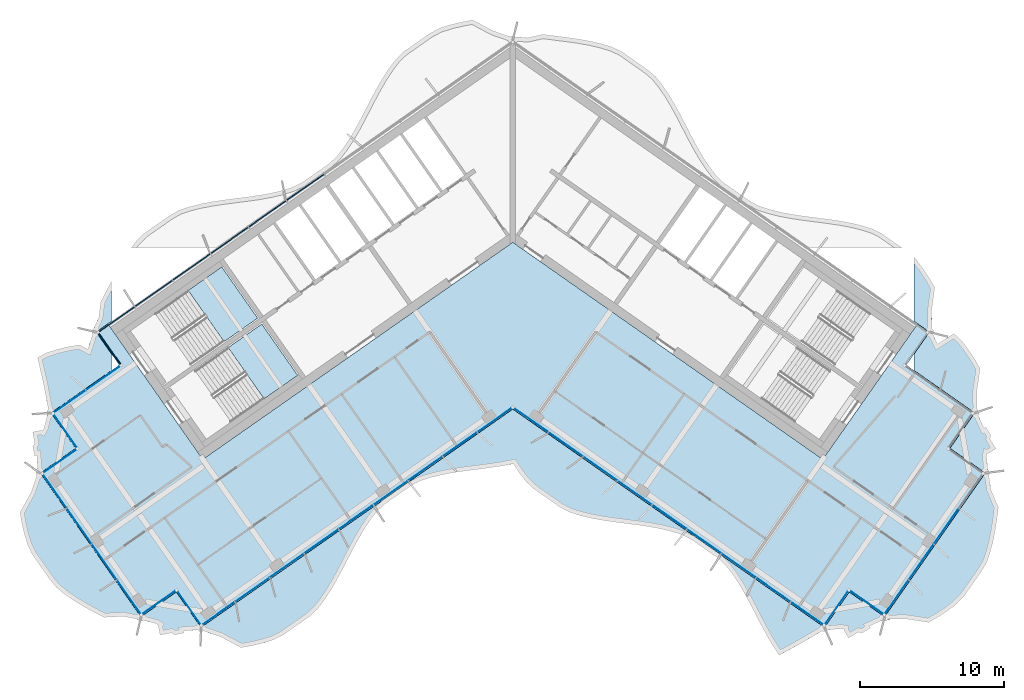
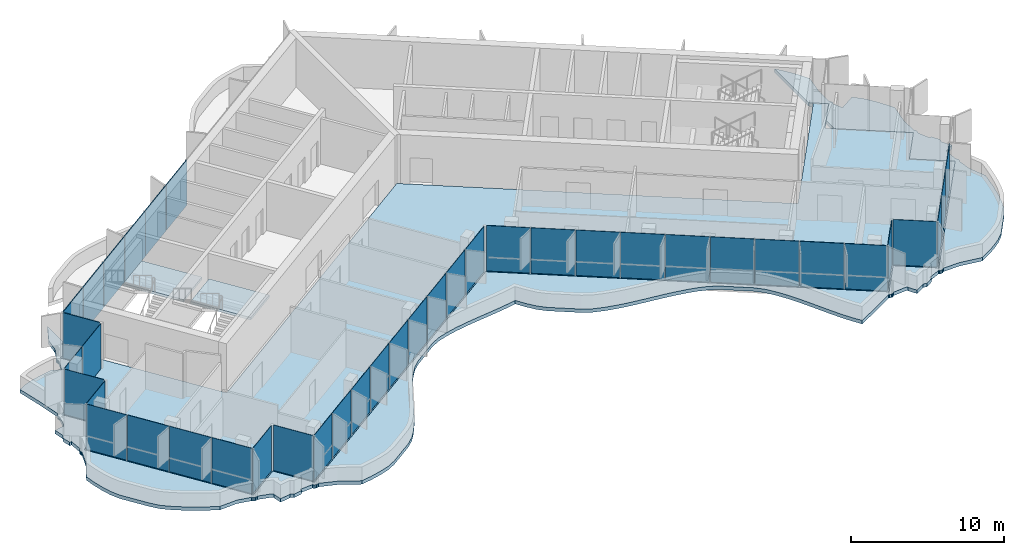
# One storey, part 9 of 20: 40 plates, 4 slabs, 4 elements without a shape of their own.
"""IFC4 building model written with IfcOpenShell, lengths in metres."""

import ifcopenshell
import ifcopenshell.guid

model = None  # the IFC model being written
_history = None  # IfcOwnerHistory: only IFC2X3 demands one
_inside = {}  # id of a spatial element -> (the spatial element, [elements in it])
_under = {}  # id of a project, library or spatial element -> (it, [spatial elements below it])
_declared = {}  # id of a project -> (the project, [libraries it declares])
_typed = {}  # id of a type object -> (the type object, [elements of that type])
_made_of = {}  # id of a material, layer set ... -> (it, [elements and type objects made of it])


def new_model(schema):
    """Start an empty IFC model of exactly this schema.

    Asked for "IFC4X3", IfcOpenShell would pick the latest addendum, in which some entities
    have other attributes; the version numbers below select the first issue.
    IFC2X3 requires an IfcOwnerHistory on every rooted entity: one is made here for all.
    """
    global model, _history
    if schema == "IFC4X3":
        model = ifcopenshell.file(schema_version=(4, 3, 0, 0))
    else:
        model = ifcopenshell.file(schema=schema)
    _inside.clear()
    _under.clear()
    _declared.clear()
    _typed.clear()
    _made_of.clear()
    _history = None
    if model.schema == "IFC2X3":
        org = make("IfcOrganization", Name="unknown")
        user = make(
            "IfcPersonAndOrganization",
            ThePerson=make("IfcPerson", FamilyName="unknown"),
            TheOrganization=org,
        )
        app = make(
            "IfcApplication",
            ApplicationDeveloper=org,
            Version="unknown",
            ApplicationFullName="unknown",
            ApplicationIdentifier="unknown",
        )
        _history = make(
            "IfcOwnerHistory",
            OwningUser=user,
            OwningApplication=app,
            ChangeAction="ADDED",
            CreationDate=0,
        )
    return model


def make(cls, **values):
    """One entity of the class cls with the attributes given. An attribute that is None is left unset."""
    return model.create_entity(
        cls, **{name: value for name, value in values.items() if value is not None}
    )


def rooted(cls, **values):
    """An entity with a GlobalId (a new one), such as an element, a storey or a relation."""
    return make(cls, GlobalId=ifcopenshell.guid.new(), OwnerHistory=_history, **values)


def si_unit(unit_type, name, prefix=None):
    """IfcSIUnit, for example si_unit("LENGTHUNIT", "METRE", prefix="MILLI")."""
    return make("IfcSIUnit", UnitType=unit_type, Prefix=prefix, Name=name)


def assignment(units):
    """IfcUnitAssignment: the units of a project."""
    return None if units is None else make("IfcUnitAssignment", Units=units)


def point(xyz):
    """IfcCartesianPoint."""
    return None if xyz is None else make("IfcCartesianPoint", Coordinates=xyz)


def direction(xyz):
    """IfcDirection."""
    return None if xyz is None else make("IfcDirection", DirectionRatios=xyz)


def frame(location, z_axis=None, x_axis=None):
    """IfcAxis2Placement3D, a coordinate frame: its origin and axes. An axis left out is left unset."""
    return make(
        "IfcAxis2Placement3D",
        Location=point(location),
        Axis=direction(z_axis),
        RefDirection=direction(x_axis),
    )


def frame_2d(location, x_axis=None):
    """IfcAxis2Placement2D, a coordinate frame in the plane: its origin and x axis."""
    return make(
        "IfcAxis2Placement2D", Location=point(location), RefDirection=direction(x_axis)
    )


def origin():
    """The frame at (0, 0, 0) with its axes left unset."""
    return frame((0.0, 0.0, 0.0))


def origin_2d():
    """The frame at (0, 0) in the plane with its x axis left unset."""
    return frame_2d((0.0, 0.0))


def place(relative_to, where):
    """IfcLocalPlacement: puts the frame where relative to a parent placement (None: the world)."""
    return make(
        "IfcLocalPlacement", PlacementRelTo=relative_to, RelativePlacement=where
    )


def context(
    kind, dimensions, precision=None, world=None, true_north=None, identifier=None
):
    """IfcGeometricRepresentationContext, for example the 3D "Model" context."""
    return make(
        "IfcGeometricRepresentationContext",
        ContextIdentifier=identifier,
        ContextType=kind,
        CoordinateSpaceDimension=dimensions,
        Precision=precision,
        WorldCoordinateSystem=world,
        TrueNorth=true_north,
    )


def subcontext(parent, identifier, kind, view, scale=None):
    """IfcGeometricRepresentationSubContext, for example "Body" below "Model"."""
    return make(
        "IfcGeometricRepresentationSubContext",
        ContextIdentifier=identifier,
        ContextType=kind,
        ParentContext=parent,
        TargetScale=scale,
        TargetView=view,
    )


def project(units=None, contexts=None):
    """IfcProject with its units and contexts."""
    return rooted(
        "IfcProject",
        Name="project",
        RepresentationContexts=contexts,
        UnitsInContext=assignment(units),
    )


def spatial(cls, under=None, at=None, **own):
    """A site, building, storey or space (cls), placed at a placement, below another one or the project."""
    s = rooted(cls, ObjectPlacement=at, **own)
    if under is not None:
        _under.setdefault(under.id(), (under, []))[1].append(s)
    return s


def polyline(points):
    """IfcPolyline through the points."""
    return make("IfcPolyline", Points=[point(p) for p in points])


def profile(cls, at=None, kind="AREA", **sizes):
    """A parametric profile (cls). Its sizes go by their IFC names, for example OverallWidth=200.0."""
    return make(cls, ProfileType=kind, Position=at, **sizes)


def rectangle(**sizes):
    """IfcRectangleProfileDef."""
    return profile("IfcRectangleProfileDef", **sizes)


def outline(outer, holes=None, kind="AREA"):
    """IfcArbitraryClosedProfileDef: a profile drawn as a closed curve; with holes, ...WithVoids."""
    if holes is None:
        return make("IfcArbitraryClosedProfileDef", ProfileType=kind, OuterCurve=outer)
    return make(
        "IfcArbitraryProfileDefWithVoids",
        ProfileType=kind,
        OuterCurve=outer,
        InnerCurves=holes,
    )


def extrude(swept, where, along, depth):
    """IfcExtrudedAreaSolid: the profile swept, set in the frame where, extruded along a direction by depth."""
    return make(
        "IfcExtrudedAreaSolid",
        SweptArea=swept,
        Position=where,
        ExtrudedDirection=direction(along),
        Depth=depth,
    )


def shape(context_of_items, identifier, shape_type, items):
    """IfcShapeRepresentation: the items that make up one representation, for example the "Body"."""
    return make(
        "IfcShapeRepresentation",
        ContextOfItems=context_of_items,
        RepresentationIdentifier=identifier,
        RepresentationType=shape_type,
        Items=items,
    )


def material(Name=None, Category=None):
    """IfcMaterial."""
    return make("IfcMaterial", Name=Name, Category=Category)


def layer(
    of_material, thickness, ventilated=None, Name=None, Category=None, Priority=None
):
    """IfcMaterialLayer: one layer of a wall or slab, of a material (None: an air gap)."""
    return make(
        "IfcMaterialLayer",
        Material=of_material,
        LayerThickness=thickness,
        IsVentilated=ventilated,
        Name=Name,
        Category=Category,
        Priority=Priority,
    )


def layer_set(layers, Name=None):
    """IfcMaterialLayerSet."""
    return make("IfcMaterialLayerSet", MaterialLayers=layers, LayerSetName=Name)


def made_of(thing, what):
    """Note that an element or type object is made of a material, layer set ...; save() writes the relation."""
    if what is not None:
        _made_of.setdefault(what.id(), (what, []))[1].append(thing)
    return thing


def type_object(cls, material=None, **own):
    """A type object (cls), such as IfcWallType, which elements share."""
    return made_of(rooted(cls, **own), material)


def element(
    cls,
    number,
    at=None,
    inside=None,
    cuts=None,
    type_object=None,
    material=None,
    context=None,
    identifier="Body",
    shape_type=None,
    held_by="IfcProductDefinitionShape",
    body=None,
    shapes=None,
    **own,
):
    """One element of the class cls, such as IfcWall. Its Tag is "e" and its number.

    at: its placement. inside: the storey or other place that contains it. cuts: it is an
    opening in that element (IfcRelVoidsElement). A single representation is given by context,
    identifier, shape_type and body (its items); several are given by shapes. held_by: the class
    of the entity that holds the representations. save() writes the other relations.
    """
    e = rooted(cls, Tag="e%d" % number, ObjectPlacement=at, **own)
    if body is not None:
        shapes = [shape(context, identifier, shape_type, body)]
    if shapes is not None:
        e.Representation = make(held_by, Representations=shapes)
    if inside is not None:
        _inside.setdefault(inside.id(), (inside, []))[1].append(e)
    if cuts is not None:
        rooted(
            "IfcRelVoidsElement", RelatingBuildingElement=cuts, RelatedOpeningElement=e
        )
    if type_object is not None:
        _typed.setdefault(type_object.id(), (type_object, []))[1].append(e)
    return made_of(e, material)


def aggregate(whole, parts):
    """IfcRelAggregates: a whole, such as a stair, and the parts it consists of."""
    return rooted("IfcRelAggregates", RelatingObject=whole, RelatedObjects=parts)


def save(model, path):
    """Write the relations noted so far, then the file.

    IfcRelAggregates (storeys below a building ...), IfcRelContainedInSpatialStructure (elements
    in a storey), IfcRelDefinesByType, IfcRelAssociatesMaterial and IfcRelDeclares: one each for
    every whole, place, type object, material and project.
    """
    for whole, parts in _under.values():
        aggregate(whole, parts)
    for where, things in _inside.values():
        rooted(
            "IfcRelContainedInSpatialStructure",
            RelatedElements=things,
            RelatingStructure=where,
        )
    for kind, things in _typed.values():
        rooted("IfcRelDefinesByType", RelatedObjects=things, RelatingType=kind)
    for what, things in _made_of.values():
        rooted("IfcRelAssociatesMaterial", RelatedObjects=things, RelatingMaterial=what)
    for by, libraries in _declared.values():
        rooted("IfcRelDeclares", RelatingContext=by, RelatedDefinitions=libraries)
    model.write(path)


model = new_model("IFC4")

# Units and contexts
model_context = context("Model", 3, precision=1e-05, world=origin(), true_north=direction((0.0, 1.0)))
body_context = subcontext(model_context, "Body", "Model", "MODEL_VIEW")
ifc_project = project(units=[si_unit("LENGTHUNIT", "METRE"), si_unit("AREAUNIT", "SQUARE_METRE"), si_unit("VOLUMEUNIT", "CUBIC_METRE"), si_unit("PLANEANGLEUNIT", "RADIAN"), si_unit("MASSUNIT", "GRAM", prefix="KILO")], contexts=[model_context])

# Site, building, storey
site_placement = place(None, origin())
site = spatial("IfcSite", under=ifc_project, at=site_placement, CompositionType="ELEMENT")
building_placement = place(site_placement, origin())
building = spatial("IfcBuilding", under=site, at=building_placement, Name="Tel Ilan Convention Tower", CompositionType="ELEMENT")
storey_placement = place(building_placement, frame((0.0, 0.0, 237.10009765625)))
storey = spatial("IfcBuildingStorey", under=building, at=storey_placement, Name="L55", CompositionType="ELEMENT", Elevation=237.10009765625)

# Curtain wall, plates
ifc_material_1 = material(Name="Aluminium, bronze anodised", Category="aluminium")
curtain_wall_type_1 = type_object("IfcCurtainWallType", Name="CW2 STICK CURTAIN WALL, SPANDREL PANELS", PredefinedType="NOTDEFINED", material=ifc_material_1)
curtain_wall_1_placement = place(storey_placement, origin())
curtain_wall_1 = element("IfcCurtainWall", 1, at=curtain_wall_1_placement, inside=storey, type_object=curtain_wall_type_1, Name="Curtain wall CW2-42.01", PredefinedType="NOTDEFINED")
ifc_material_2 = material(Name="Aluminium composite panel, bronze anodised", Category="aluminium")
ifc_layer_1 = layer(ifc_material_2, 0.06005859375)
ifc_layer_set_1 = layer_set([ifc_layer_1], Name="CW SPANDREL PANEL 60")
plate_type_1 = type_object("IfcPlateType", Name="CW SPANDREL PANEL 60", PredefinedType="CURTAIN_PANEL", material=ifc_layer_set_1)
plate_1_placement = place(storey_placement, frame((-14.422119140625, 2.59765625, -0.000244140625), z_axis=(0.0, 0.0, 1.0), x_axis=(-0.819152044289, -0.573576436351, 0.0)))
plate_1 = element("IfcPlate", 2, at=plate_1_placement, type_object=plate_type_1, Name="Spandrel panel", PredefinedType="CURTAIN_PANEL", context=body_context, shape_type="SweptSolid", body=[
    extrude(rectangle(XDim=3.15380859375, YDim=0.06005859375, at=origin_2d()), origin(), (0.0, 0.0, 1.0), 3.6201171875),
])
plate_2_placement = place(storey_placement, frame((-17.0546875, 0.754150390625, -0.000244140625), z_axis=(0.0, 0.0, 1.0), x_axis=(-0.819152044289, -0.573576436351, 0.0)))
plate_2 = element("IfcPlate", 3, at=plate_2_placement, type_object=plate_type_1, Name="Spandrel panel", PredefinedType="CURTAIN_PANEL", context=body_context, shape_type="SweptSolid", body=[
    extrude(rectangle(XDim=3.15380859375, YDim=0.06005859375, at=origin_2d()), origin(), (0.0, 0.0, 1.0), 3.6201171875),
])
plate_3_placement = place(storey_placement, frame((-19.687255859375, -1.089111328125, -0.000244140625), z_axis=(0.0, 0.0, 1.0), x_axis=(-0.819152044289, -0.573576436351, 0.0)))
plate_3 = element("IfcPlate", 4, at=plate_3_placement, type_object=plate_type_1, Name="Spandrel panel", PredefinedType="CURTAIN_PANEL", context=body_context, shape_type="SweptSolid", body=[
    extrude(rectangle(XDim=3.15380859375, YDim=0.06005859375, at=origin_2d()), origin(), (0.0, 0.0, 1.0), 3.6201171875),
])
plate_4_placement = place(storey_placement, frame((-22.31982421875, -2.9326171875, -0.000244140625), z_axis=(0.0, 0.0, 1.0), x_axis=(-0.819152044289, -0.573576436351, 0.0)))
plate_4 = element("IfcPlate", 5, at=plate_4_placement, type_object=plate_type_1, Name="Spandrel panel", PredefinedType="CURTAIN_PANEL", context=body_context, shape_type="SweptSolid", body=[
    extrude(rectangle(XDim=3.15380859375, YDim=0.06005859375, at=origin_2d()), origin(), (0.0, 0.0, 1.0), 3.6201171875),
])
plate_5_placement = place(storey_placement, frame((-24.95263671875, -4.77587890625, -0.000244140625), z_axis=(0.0, 0.0, 1.0), x_axis=(-0.819152044289, -0.573576436351, 0.0)))
plate_5 = element("IfcPlate", 6, at=plate_5_placement, type_object=plate_type_1, Name="Spandrel panel", PredefinedType="CURTAIN_PANEL", context=body_context, shape_type="SweptSolid", body=[
    extrude(rectangle(XDim=3.15380859375, YDim=0.06005859375, at=origin_2d()), origin(), (0.0, 0.0, 1.0), 3.6201171875),
])
plate_6_placement = place(storey_placement, frame((-27.5400390625, -6.587646484375, -0.000244140625), z_axis=(0.0, 0.0, 1.0), x_axis=(-0.819152044289, -0.573576436351, 0.0)))
plate_6 = element("IfcPlate", 7, at=plate_6_placement, type_object=plate_type_1, Name="Spandrel panel", PredefinedType="CURTAIN_PANEL", context=body_context, shape_type="SweptSolid", body=[
    extrude(rectangle(XDim=3.0439453125, YDim=0.06005859375, at=origin_2d()), origin(), (0.0, 0.0, 1.0), 3.6201171875),
])
plate_7_placement = place(storey_placement, frame((-28.033935546875, -8.60546875, -0.000244140625), z_axis=(0.0, 0.0, 1.0), x_axis=(0.573576436351, -0.819152044289, 0.0)))
plate_7 = element("IfcPlate", 8, at=plate_7_placement, type_object=plate_type_1, Name="Spandrel panel", PredefinedType="CURTAIN_PANEL", context=body_context, shape_type="SweptSolid", body=[
    extrude(rectangle(XDim=2.658935546875, YDim=0.06005859375, at=origin_2d()), origin(), (0.0, 0.0, 1.0), 3.6201171875),
])
aggregate(curtain_wall_1, [plate_1, plate_2, plate_3, plate_4, plate_5, plate_6, plate_7])

ifc_material_3 = material(Name="Aluminium, bronze anodised", Category="aluminium")
curtain_wall_type_2 = type_object("IfcCurtainWallType", Name="CW5 STICK CURTAIN WALL, UPPER OFFICE LOW-IRON TINTED GLASS", PredefinedType="NOTDEFINED", material=ifc_material_3)
curtain_wall_2_placement = place(storey_placement, origin())
curtain_wall_2 = element("IfcCurtainWall", 9, at=curtain_wall_2_placement, inside=storey, type_object=curtain_wall_type_2, Name="Curtain wall CW5-42.02", PredefinedType="NOTDEFINED")
ifc_material_4 = material(Name="Glass, low-iron bronze tinted, two-ply", Category="glass")
ifc_layer_2 = layer(ifc_material_4, 0.031982421875)
ifc_layer_set_2 = layer_set([ifc_layer_2], Name="CW UPPER GLASS PANEL 32")
plate_type_2 = type_object("IfcPlateType", Name="CW UPPER GLASS PANEL 32", PredefinedType="CURTAIN_PANEL", material=ifc_layer_set_2)
plate_8_placement = place(storey_placement, frame((-28.471435546875, -10.657958984375, -0.000244140625), z_axis=(0.0, 0.0, 1.0), x_axis=(-0.819152044289, -0.573576436351, 0.0)))
plate_8 = element("IfcPlate", 10, at=plate_8_placement, type_object=plate_type_2, Name="Glass panel", PredefinedType="CURTAIN_PANEL", context=body_context, shape_type="SweptSolid", body=[
    extrude(rectangle(XDim=2.868896484375, YDim=0.028076171875, at=origin_2d()), origin(), (0.0, 0.0, 1.0), 3.6201171875),
])
plate_9_placement = place(storey_placement, frame((-30.8203125, -12.302734375, -0.000244140625), z_axis=(0.0, 0.0, 1.0), x_axis=(-0.819152044289, -0.573576436351, 0.0)))
plate_9 = element("IfcPlate", 11, at=plate_9_placement, type_object=plate_type_2, Name="Glass panel", PredefinedType="CURTAIN_PANEL", context=body_context, shape_type="SweptSolid", body=[
    extrude(rectangle(XDim=2.74609375, YDim=0.028076171875, at=origin_2d()), origin(), (0.0, 0.0, 1.0), 3.6201171875),
])
plate_10_placement = place(storey_placement, frame((-31.126220703125, -14.30126953125, -0.000244140625), z_axis=(0.0, 0.0, 1.0), x_axis=(0.573576436351, -0.819152044289, 0.0)))
plate_10 = element("IfcPlate", 12, at=plate_10_placement, type_object=plate_type_2, Name="Glass panel", PredefinedType="CURTAIN_PANEL", context=body_context, shape_type="SweptSolid", body=[
    extrude(rectangle(XDim=2.875, YDim=0.028076171875, at=origin_2d()), origin(), (0.0, 0.0, 1.0), 3.6201171875),
])
plate_11_placement = place(storey_placement, frame((-31.504150390625, -16.44384765625, -0.000244140625), z_axis=(0.0, 0.0, 1.0), x_axis=(-0.819152044289, -0.573576436351, 0.0)))
plate_11 = element("IfcPlate", 13, at=plate_11_placement, type_object=plate_type_2, Name="Glass panel", PredefinedType="CURTAIN_PANEL", context=body_context, shape_type="SweptSolid", body=[
    extrude(rectangle(XDim=2.875, YDim=0.028076171875, at=origin_2d()), origin(), (0.0, 0.0, 1.0), 3.6201171875),
])
plate_12_placement = place(storey_placement, frame((-31.85693359375, -18.488037109375, -0.000244140625), z_axis=(0.0, 0.0, 1.0), x_axis=(0.573576436351, -0.819152044289, 0.0)))
plate_12 = element("IfcPlate", 14, at=plate_12_placement, type_object=plate_type_2, Name="Glass panel", PredefinedType="CURTAIN_PANEL", context=body_context, shape_type="SweptSolid", body=[
    extrude(rectangle(XDim=2.89599609375, YDim=0.028076171875, at=origin_2d()), origin(), (0.0, 0.0, 1.0), 3.6201171875),
])
plate_13_placement = place(storey_placement, frame((-30.134521484375, -20.94775390625, -0.000244140625), z_axis=(0.0, 0.0, 1.0), x_axis=(0.573576436351, -0.819152044289, 0.0)))
plate_13 = element("IfcPlate", 15, at=plate_13_placement, type_object=plate_type_2, Name="Glass panel", PredefinedType="CURTAIN_PANEL", context=body_context, shape_type="SweptSolid", body=[
    extrude(rectangle(XDim=2.989990234375, YDim=0.028076171875, at=origin_2d()), origin(), (0.0, 0.0, 1.0), 3.6201171875),
])
plate_14_placement = place(storey_placement, frame((-28.38525390625, -23.4462890625, -0.000244140625), z_axis=(0.0, 0.0, 1.0), x_axis=(0.573576436351, -0.819152044289, 0.0)))
plate_14 = element("IfcPlate", 16, at=plate_14_placement, type_object=plate_type_2, Name="Glass panel", PredefinedType="CURTAIN_PANEL", context=body_context, shape_type="SweptSolid", body=[
    extrude(rectangle(XDim=2.989990234375, YDim=0.028076171875, at=origin_2d()), origin(), (0.0, 0.0, 1.0), 3.6201171875),
])
plate_15_placement = place(storey_placement, frame((-26.66259765625, -25.90625, -0.000244140625), z_axis=(0.0, 0.0, 1.0), x_axis=(0.573576436351, -0.819152044289, 0.0)))
plate_15 = element("IfcPlate", 17, at=plate_15_placement, type_object=plate_type_2, Name="Glass panel", PredefinedType="CURTAIN_PANEL", context=body_context, shape_type="SweptSolid", body=[
    extrude(rectangle(XDim=2.89599609375, YDim=0.028076171875, at=origin_2d()), origin(), (0.0, 0.0, 1.0), 3.6201171875),
])
plate_16_placement = place(storey_placement, frame((-24.621337890625, -26.273681640625, -0.000244140625), z_axis=(0.0, 0.0, 1.0), x_axis=(0.819152044289, 0.573576436351, 0.0)))
plate_16 = element("IfcPlate", 18, at=plate_16_placement, type_object=plate_type_2, Name="Glass panel", PredefinedType="CURTAIN_PANEL", context=body_context, shape_type="SweptSolid", body=[
    extrude(rectangle(XDim=2.875, YDim=0.028076171875, at=origin_2d()), origin(), (0.0, 0.0, 1.0), 3.6201171875),
])
plate_17_placement = place(storey_placement, frame((-22.478515625, -26.651611328125, -0.000244140625), z_axis=(0.0, 0.0, 1.0), x_axis=(0.573576436351, -0.819152044289, 0.0)))
plate_17 = element("IfcPlate", 19, at=plate_17_placement, type_object=plate_type_2, Name="Glass panel", PredefinedType="CURTAIN_PANEL", context=body_context, shape_type="SweptSolid", body=[
    extrude(rectangle(XDim=2.875, YDim=0.028076171875, at=origin_2d()), origin(), (0.0, 0.0, 1.0), 3.6201171875),
])
plate_18_placement = place(storey_placement, frame((-20.47998046875, -27.036376953125, -0.000244140625), z_axis=(0.0, 0.0, 1.0), x_axis=(0.819152044289, 0.573576436351, 0.0)))
plate_18 = element("IfcPlate", 20, at=plate_18_placement, type_object=plate_type_2, Name="Glass panel", PredefinedType="CURTAIN_PANEL", context=body_context, shape_type="SweptSolid", body=[
    extrude(rectangle(XDim=2.78466796875, YDim=0.028076171875, at=origin_2d()), origin(), (0.0, 0.0, 1.0), 3.6201171875),
])
plate_19_placement = place(storey_placement, frame((-18.111328125, -25.377685546875, -0.000244140625), z_axis=(0.0, 0.0, 1.0), x_axis=(0.819152044289, 0.573576436351, 0.0)))
plate_19 = element("IfcPlate", 21, at=plate_19_placement, type_object=plate_type_2, Name="Glass panel", PredefinedType="CURTAIN_PANEL", context=body_context, shape_type="SweptSolid", body=[
    extrude(rectangle(XDim=2.878662109375, YDim=0.028076171875, at=origin_2d()), origin(), (0.0, 0.0, 1.0), 3.6201171875),
])
plate_20_placement = place(storey_placement, frame((-15.7041015625, -23.692138671875, -0.000244140625), z_axis=(0.0, 0.0, 1.0), x_axis=(0.819152044289, 0.573576436351, 0.0)))
plate_20 = element("IfcPlate", 22, at=plate_20_placement, type_object=plate_type_2, Name="Glass panel", PredefinedType="CURTAIN_PANEL", context=body_context, shape_type="SweptSolid", body=[
    extrude(rectangle(XDim=2.878662109375, YDim=0.028076171875, at=origin_2d()), origin(), (0.0, 0.0, 1.0), 3.6201171875),
])
plate_21_placement = place(storey_placement, frame((-13.296875, -22.006591796875, -0.000244140625), z_axis=(0.0, 0.0, 1.0), x_axis=(0.819152044289, 0.573576436351, 0.0)))
plate_21 = element("IfcPlate", 23, at=plate_21_placement, type_object=plate_type_2, Name="Glass panel", PredefinedType="CURTAIN_PANEL", context=body_context, shape_type="SweptSolid", body=[
    extrude(rectangle(XDim=2.878662109375, YDim=0.028076171875, at=origin_2d()), origin(), (0.0, 0.0, 1.0), 3.6201171875),
])
plate_22_placement = place(storey_placement, frame((-10.8896484375, -20.321044921875, -0.000244140625), z_axis=(0.0, 0.0, 1.0), x_axis=(0.819152044289, 0.573576436351, 0.0)))
plate_22 = element("IfcPlate", 24, at=plate_22_placement, type_object=plate_type_2, Name="Glass panel", PredefinedType="CURTAIN_PANEL", context=body_context, shape_type="SweptSolid", body=[
    extrude(rectangle(XDim=2.878662109375, YDim=0.028076171875, at=origin_2d()), origin(), (0.0, 0.0, 1.0), 3.6201171875),
])
plate_23_placement = place(storey_placement, frame((-8.482666015625, -18.635498046875, -0.000244140625), z_axis=(0.0, 0.0, 1.0), x_axis=(0.819152044289, 0.573576436351, 0.0)))
plate_23 = element("IfcPlate", 25, at=plate_23_placement, type_object=plate_type_2, Name="Glass panel", PredefinedType="CURTAIN_PANEL", context=body_context, shape_type="SweptSolid", body=[
    extrude(rectangle(XDim=2.878662109375, YDim=0.028076171875, at=origin_2d()), origin(), (0.0, 0.0, 1.0), 3.6201171875),
])
plate_24_placement = place(storey_placement, frame((-6.075439453125, -16.949951171875, -0.000244140625), z_axis=(0.0, 0.0, 1.0), x_axis=(0.819152044289, 0.573576436351, 0.0)))
plate_24 = element("IfcPlate", 26, at=plate_24_placement, type_object=plate_type_2, Name="Glass panel", PredefinedType="CURTAIN_PANEL", context=body_context, shape_type="SweptSolid", body=[
    extrude(rectangle(XDim=2.878662109375, YDim=0.028076171875, at=origin_2d()), origin(), (0.0, 0.0, 1.0), 3.6201171875),
])
plate_25_placement = place(storey_placement, frame((-3.668212890625, -15.264404296875, -0.000244140625), z_axis=(0.0, 0.0, 1.0), x_axis=(0.819152044289, 0.573576436351, 0.0)))
plate_25 = element("IfcPlate", 27, at=plate_25_placement, type_object=plate_type_2, Name="Glass panel", PredefinedType="CURTAIN_PANEL", context=body_context, shape_type="SweptSolid", body=[
    extrude(rectangle(XDim=2.878662109375, YDim=0.028076171875, at=origin_2d()), origin(), (0.0, 0.0, 1.0), 3.6201171875),
])
plate_26_placement = place(storey_placement, frame((-1.261474609375, -13.579345703125, -0.000244140625), z_axis=(0.0, 0.0, 1.0), x_axis=(0.819152044289, 0.573576436351, 0.0)))
plate_26 = element("IfcPlate", 28, at=plate_26_placement, type_object=plate_type_2, Name="Glass panel", PredefinedType="CURTAIN_PANEL", context=body_context, shape_type="SweptSolid", body=[
    extrude(rectangle(XDim=2.877685546875, YDim=0.028076171875, at=origin_2d()), origin(), (0.0, 0.0, 1.0), 3.6201171875),
])
plate_27_placement = place(storey_placement, frame((1.27294921875, -13.58740234375, -0.000244140625), z_axis=(0.0, 0.0, 1.0), x_axis=(0.819152044289, -0.573576436351, 0.0)))
plate_27 = element("IfcPlate", 29, at=plate_27_placement, type_object=plate_type_2, Name="Glass panel", PredefinedType="CURTAIN_PANEL", context=body_context, shape_type="SweptSolid", body=[
    extrude(rectangle(XDim=2.849609375, YDim=0.028076171875, at=origin_2d()), origin(), (0.0, 0.0, 1.0), 3.6201171875),
])
plate_28_placement = place(storey_placement, frame((3.668212890625, -15.264404296875, -0.000244140625), z_axis=(0.0, 0.0, 1.0), x_axis=(0.819152044289, -0.573576436351, 0.0)))
plate_28 = element("IfcPlate", 30, at=plate_28_placement, type_object=plate_type_2, Name="Glass panel", PredefinedType="CURTAIN_PANEL", context=body_context, shape_type="SweptSolid", body=[
    extrude(rectangle(XDim=2.878662109375, YDim=0.028076171875, at=origin_2d()), origin(), (0.0, 0.0, 1.0), 3.6201171875),
])
plate_29_placement = place(storey_placement, frame((6.075439453125, -16.949951171875, -0.000244140625), z_axis=(0.0, 0.0, 1.0), x_axis=(0.819152044289, -0.573576436351, 0.0)))
plate_29 = element("IfcPlate", 31, at=plate_29_placement, type_object=plate_type_2, Name="Glass panel", PredefinedType="CURTAIN_PANEL", context=body_context, shape_type="SweptSolid", body=[
    extrude(rectangle(XDim=2.878662109375, YDim=0.028076171875, at=origin_2d()), origin(), (0.0, 0.0, 1.0), 3.6201171875),
])
plate_30_placement = place(storey_placement, frame((8.482666015625, -18.635498046875, -0.000244140625), z_axis=(0.0, 0.0, 1.0), x_axis=(0.819152044289, -0.573576436351, 0.0)))
plate_30 = element("IfcPlate", 32, at=plate_30_placement, type_object=plate_type_2, Name="Glass panel", PredefinedType="CURTAIN_PANEL", context=body_context, shape_type="SweptSolid", body=[
    extrude(rectangle(XDim=2.878662109375, YDim=0.028076171875, at=origin_2d()), origin(), (0.0, 0.0, 1.0), 3.6201171875),
])
plate_31_placement = place(storey_placement, frame((10.8896484375, -20.321044921875, -0.000244140625), z_axis=(0.0, 0.0, 1.0), x_axis=(0.819152044289, -0.573576436351, 0.0)))
plate_31 = element("IfcPlate", 33, at=plate_31_placement, type_object=plate_type_2, Name="Glass panel", PredefinedType="CURTAIN_PANEL", context=body_context, shape_type="SweptSolid", body=[
    extrude(rectangle(XDim=2.878662109375, YDim=0.028076171875, at=origin_2d()), origin(), (0.0, 0.0, 1.0), 3.6201171875),
])
plate_32_placement = place(storey_placement, frame((13.296875, -22.006591796875, -0.000244140625), z_axis=(0.0, 0.0, 1.0), x_axis=(0.819152044289, -0.573576436351, 0.0)))
plate_32 = element("IfcPlate", 34, at=plate_32_placement, type_object=plate_type_2, Name="Glass panel", PredefinedType="CURTAIN_PANEL", context=body_context, shape_type="SweptSolid", body=[
    extrude(rectangle(XDim=2.878662109375, YDim=0.028076171875, at=origin_2d()), origin(), (0.0, 0.0, 1.0), 3.6201171875),
])
plate_33_placement = place(storey_placement, frame((15.7041015625, -23.692138671875, -0.000244140625), z_axis=(0.0, 0.0, 1.0), x_axis=(0.819152044289, -0.573576436351, 0.0)))
plate_33 = element("IfcPlate", 35, at=plate_33_placement, type_object=plate_type_2, Name="Glass panel", PredefinedType="CURTAIN_PANEL", context=body_context, shape_type="SweptSolid", body=[
    extrude(rectangle(XDim=2.878662109375, YDim=0.028076171875, at=origin_2d()), origin(), (0.0, 0.0, 1.0), 3.6201171875),
])
plate_34_placement = place(storey_placement, frame((18.111328125, -25.377685546875, -0.000244140625), z_axis=(0.0, 0.0, 1.0), x_axis=(0.819152044289, -0.573576436351, 0.0)))
plate_34 = element("IfcPlate", 36, at=plate_34_placement, type_object=plate_type_2, Name="Glass panel", PredefinedType="CURTAIN_PANEL", context=body_context, shape_type="SweptSolid", body=[
    extrude(rectangle(XDim=2.878662109375, YDim=0.028076171875, at=origin_2d()), origin(), (0.0, 0.0, 1.0), 3.6201171875),
])
plate_35_placement = place(storey_placement, frame((20.47998046875, -27.036376953125, -0.000244140625), z_axis=(0.0, 0.0, 1.0), x_axis=(0.819152044289, -0.573576436351, 0.0)))
plate_35 = element("IfcPlate", 37, at=plate_35_placement, type_object=plate_type_2, Name="Glass panel", PredefinedType="CURTAIN_PANEL", context=body_context, shape_type="SweptSolid", body=[
    extrude(rectangle(XDim=2.78466796875, YDim=0.028076171875, at=origin_2d()), origin(), (0.0, 0.0, 1.0), 3.6201171875),
])
plate_36_placement = place(storey_placement, frame((22.478515625, -26.651611328125, -0.000244140625), z_axis=(0.0, 0.0, 1.0), x_axis=(0.573576436351, 0.819152044289, 0.0)))
plate_36 = element("IfcPlate", 38, at=plate_36_placement, type_object=plate_type_2, Name="Glass panel", PredefinedType="CURTAIN_PANEL", context=body_context, shape_type="SweptSolid", body=[
    extrude(rectangle(XDim=2.875, YDim=0.028076171875, at=origin_2d()), origin(), (0.0, 0.0, 1.0), 3.6201171875),
])
plate_37_placement = place(storey_placement, frame((24.621337890625, -26.273681640625, -0.000244140625), z_axis=(0.0, 0.0, 1.0), x_axis=(0.819152044289, -0.573576436351, 0.0)))
plate_37 = element("IfcPlate", 39, at=plate_37_placement, type_object=plate_type_2, Name="Glass panel", PredefinedType="CURTAIN_PANEL", context=body_context, shape_type="SweptSolid", body=[
    extrude(rectangle(XDim=2.875, YDim=0.028076171875, at=origin_2d()), origin(), (0.0, 0.0, 1.0), 3.6201171875),
])
plate_38_placement = place(storey_placement, frame((26.66259765625, -25.90625, -0.000244140625), z_axis=(0.0, 0.0, 1.0), x_axis=(0.573576436351, 0.819152044289, 0.0)))
plate_38 = element("IfcPlate", 40, at=plate_38_placement, type_object=plate_type_2, Name="Glass panel", PredefinedType="CURTAIN_PANEL", context=body_context, shape_type="SweptSolid", body=[
    extrude(rectangle(XDim=2.89599609375, YDim=0.028076171875, at=origin_2d()), origin(), (0.0, 0.0, 1.0), 3.6201171875),
])
plate_39_placement = place(storey_placement, frame((28.38525390625, -23.4462890625, -0.000244140625), z_axis=(0.0, 0.0, 1.0), x_axis=(0.573576436351, 0.819152044289, 0.0)))
plate_39 = element("IfcPlate", 41, at=plate_39_placement, type_object=plate_type_2, Name="Glass panel", PredefinedType="CURTAIN_PANEL", context=body_context, shape_type="SweptSolid", body=[
    extrude(rectangle(XDim=2.989990234375, YDim=0.028076171875, at=origin_2d()), origin(), (0.0, 0.0, 1.0), 3.6201171875),
])
plate_40_placement = place(storey_placement, frame((30.134521484375, -20.94775390625, -0.000244140625), z_axis=(0.0, 0.0, 1.0), x_axis=(0.573576436351, 0.819152044289, 0.0)))
plate_40 = element("IfcPlate", 42, at=plate_40_placement, type_object=plate_type_2, Name="Glass panel", PredefinedType="CURTAIN_PANEL", context=body_context, shape_type="SweptSolid", body=[
    extrude(rectangle(XDim=2.989990234375, YDim=0.028076171875, at=origin_2d()), origin(), (0.0, 0.0, 1.0), 3.6201171875),
])
aggregate(curtain_wall_2, [plate_8, plate_9, plate_10, plate_11, plate_12, plate_13, plate_14, plate_15, plate_16, plate_17, plate_18, plate_19, plate_20, plate_21, plate_22, plate_23, plate_24, plate_25, plate_26, plate_27, plate_28, plate_29, plate_30, plate_31, plate_32, plate_33, plate_34, plate_35, plate_36, plate_37, plate_38, plate_39, plate_40])

# Stair, slab
ifc_material_5 = material(Name="Concrete C40/50", Category="concrete")
stair_type = type_object("IfcStairType", Name="Pressurised Exit Stair 22 risers 177 mm", PredefinedType="HALF_TURN_STAIR", material=ifc_material_5)
stair_1_placement = place(storey_placement, origin())
stair_1 = element("IfcStair", 43, at=stair_1_placement, inside=storey, type_object=stair_type, Name="L55 Pressurised Stair S1", PredefinedType="HALF_TURN_STAIR")
ifc_material_6 = material(Name="Concrete C40/50", Category="concrete")
ifc_layer_3 = layer(ifc_material_6, 0.199951171875)
ifc_layer_set_3 = layer_set([ifc_layer_3], Name="Concrete Stair Landing 200 mm C40/50")
slab_type_1 = type_object("IfcSlabType", Name="Concrete Stair Landing 200 mm", PredefinedType="LANDING", material=ifc_layer_set_3)
slab_1_placement = place(storey_placement, frame((0.0, 0.0, 1.75)))
slab_1 = element("IfcSlab", 44, at=slab_1_placement, type_object=slab_type_1, Name="S1 landing 1", PredefinedType="LANDING", context=body_context, shape_type="SweptSolid", body=[
    extrude(outline(polyline([(-20.066650390625, -8.130126953125), (-17.7314453125, -6.494873046875), (-20.226318359375, -2.931640625), (-22.561767578125, -4.566650390625), (-20.066650390625, -8.130126953125)])), origin(), (0.0, 0.0, 1.0), 0.199951171875),
])
aggregate(stair_1, [slab_1])

stair_2_placement = place(storey_placement, origin())
stair_2 = element("IfcStair", 45, at=stair_2_placement, inside=storey, type_object=stair_type, Name="L55 Pressurised Stair S2", PredefinedType="HALF_TURN_STAIR")
slab_2_placement = place(storey_placement, frame((0.0, 0.0, 1.75)))
slab_2 = element("IfcSlab", 46, at=slab_2_placement, type_object=slab_type_1, Name="S2 landing 1", PredefinedType="LANDING", context=body_context, shape_type="SweptSolid", body=[
    extrude(outline(polyline([(-17.28466796875, -12.10302734375), (-14.949462890625, -10.4677734375), (-17.444580078125, -6.904541015625), (-19.77978515625, -8.53955078125), (-17.28466796875, -12.10302734375)])), origin(), (0.0, 0.0, 1.0), 0.199951171875),
])
aggregate(stair_2, [slab_2])

# Slabs
ifc_material_7 = material(Name="Concrete C40/50", Category="concrete")
ifc_layer_4 = layer(ifc_material_7, 0.280029296875)
ifc_layer_set_4 = layer_set([ifc_layer_4], Name="Edge Ledge Slab 280 mm C40/50")
slab_type_2 = type_object("IfcSlabType", Name="Edge Ledge Slab 280 mm C40/50", PredefinedType="FLOOR", material=ifc_layer_set_4)
slab_3_placement = place(storey_placement, frame((0.0, 0.0, -0.280029296875)))
element("IfcSlab", 47, at=slab_3_placement, inside=storey, type_object=slab_type_2, Name="L55 edge ledge 1", PredefinedType="FLOOR", context=body_context, shape_type="SweptSolid", body=[
    extrude(outline(polyline([(-22.855224609375, -28.3798828125), (-23.49462890625, -28.5126953125), (-23.728759765625, -28.3701171875), (-24.51416015625, -28.518310546875), (-24.64697265625, -27.87890625), (-24.61669921875, -27.8291015625), (-24.7724609375, -27.73388671875), (-25.6708984375, -27.4970703125), (-25.67431640625, -27.4921875), (-25.728271484375, -27.5283203125), (-25.843017578125, -27.55126953125), (-25.957763671875, -27.5283203125), (-26.05517578125, -27.46337890625), (-26.083984375, -27.420166015625), (-26.088623046875, -27.42333984375), (-27.05419921875, -27.223388671875), (-28.398193359375, -27.288330078125), (-29.12353515625, -26.920166015625), (-29.82373046875, -26.5341796875), (-30.49462890625, -26.1279296875), (-31.125732421875, -25.69384765625), (-31.707763671875, -25.22509765625), (-32.166748046875, -24.670654296875), (-33.401611328125, -22.906982421875), (-33.7158203125, -22.2509765625), (-33.940185546875, -21.531982421875), (-34.1181640625, -20.780517578125), (-34.248779296875, -19.995849609375), (-33.47021484375, -18.574462890625), (-33.08642578125, -17.4296875), (-33.081787109375, -17.426513671875), (-33.117919921875, -17.372314453125), (-33.140625, -17.257568359375), (-33.117919921875, -17.142822265625), (-33.052734375, -17.04541015625), (-33.009521484375, -17.0166015625), (-33.0126953125, -17.011962890625), (-33.085693359375, -16.03955078125), (-33.232666015625, -16.067138671875), (-33.365478515625, -15.427490234375), (-33.22265625, -15.193603515625), (-33.370849609375, -14.408203125), (-32.7314453125, -14.275390625), (-32.681640625, -14.3056640625), (-32.586669921875, -14.14990234375), (-32.349609375, -13.25146484375), (-32.344970703125, -13.248291015625), (-32.381103515625, -13.194091796875), (-32.40380859375, -13.079345703125), (-32.381103515625, -12.964599609375), (-32.31591796875, -12.8671875), (-32.272705078125, -12.83837890625), (-32.27587890625, -12.833740234375), (-32.6083984375, -11.094970703125), (-33.031982421875, -9.225830078125), (-32.382080078125, -8.890380859375), (-31.6572265625, -8.661376953125), (-30.899169921875, -8.47998046875), (-30.110107421875, -8.3427734375), (-29.537353515625, -8.652587890625), (-29.20458984375, -7.631103515625), (-29.199951171875, -7.6279296875), (-29.236083984375, -7.57373046875), (-29.2587890625, -7.458984375), (-29.236083984375, -7.34423828125), (-29.1708984375, -7.246826171875), (-29.127685546875, -7.218017578125), (-29.130859375, -7.21337890625), (-28.772216796875, -6.441650390625), (-28.635009765625, -5.353515625), (-28.252685546875, -4.614990234375), (-27.875, -3.881103515625), (-27.875, -6.7001953125), (-28.958740234375, -7.458984375), (-27.875, -9.007080078125), (-27.875, -10.1181640625), (-32.10400390625, -13.079345703125), (-30.383056640625, -15.536865234375), (-32.840576171875, -17.257568359375), (-25.843017578125, -27.251220703125), (-23.385498046875, -25.530517578125), (-21.664794921875, -27.988037109375), (0.0, -12.818115234375), (21.664794921875, -27.988037109375), (23.385498046875, -25.530517578125), (25.843017578125, -27.251220703125), (32.840576171875, -17.257568359375), (30.383056640625, -15.536865234375), (32.10400390625, -13.079345703125), (27.875, -10.1181640625), (27.875, -9.007080078125), (28.958740234375, -7.458984375), (27.875, -6.7001953125), (27.875, -2.269287109375), (28.0107421875, -2.392578125), (28.48388671875, -3.001220703125), (28.922119140625, -3.6591796875), (29.331298828125, -4.35888671875), (29.109619140625, -5.95947265625), (29.130859375, -7.21337890625), (29.127685546875, -7.218017578125), (29.1708984375, -7.246826171875), (29.236083984375, -7.34423828125), (29.2587890625, -7.458984375), (29.236083984375, -7.57373046875), (29.199951171875, -7.6279296875), (29.20458984375, -7.631103515625), (29.52001953125, -8.2939453125), (30.656494140625, -7.5625), (31.194091796875, -8.05859375), (31.6572265625, -8.661376953125), (32.0869140625, -9.3115234375), (32.485595703125, -10.006103515625), (32.248779296875, -11.6083984375), (32.27587890625, -12.833740234375), (32.272705078125, -12.83837890625), (32.31591796875, -12.8671875), (32.381103515625, -12.964599609375), (32.40380859375, -13.079345703125), (32.381103515625, -13.194091796875), (32.344970703125, -13.248291015625), (32.349609375, -13.25146484375), (32.7509765625, -14.14013671875), (32.87939453125, -14.06396484375), (33.222900390625, -14.619384765625), (33.1689453125, -14.88818359375), (33.576904296875, -15.57568359375), (33.021240234375, -15.919189453125), (32.964111328125, -15.90771484375), (32.927978515625, -16.086669921875), (33.0126953125, -17.011962890625), (33.009521484375, -17.0166015625), (33.052734375, -17.04541015625), (33.117919921875, -17.142822265625), (33.140625, -17.257568359375), (33.117919921875, -17.372314453125), (33.081787109375, -17.426513671875), (33.08642578125, -17.4296875), (33.228759765625, -18.405517578125), (33.749267578125, -19.64599609375), (33.6513671875, -20.45361328125), (33.5283203125, -21.243408203125), (33.376220703125, -22.012939453125), (33.183837890625, -22.75439453125), (32.9423828125, -23.461669921875), (32.57861328125, -24.082763671875), (31.343505859375, -25.84619140625), (30.83447265625, -26.365966796875), (30.235595703125, -26.82275390625), (29.59033203125, -27.246826171875), (28.897705078125, -27.637939453125), (27.2958984375, -27.392578125), (26.088623046875, -27.42333984375), (26.083984375, -27.420166015625), (26.05517578125, -27.46337890625), (25.957763671875, -27.5283203125), (25.843017578125, -27.55126953125), (25.728271484375, -27.5283203125), (25.67431640625, -27.4921875), (25.6708984375, -27.4970703125), (24.7822265625, -27.898193359375), (24.8583984375, -28.02685546875), (24.302978515625, -28.3701171875), (24.0341796875, -28.31640625), (23.3466796875, -28.72412109375), (23.00341796875, -28.168701171875), (23.0146484375, -28.111328125), (22.835693359375, -28.075439453125), (21.910400390625, -28.16015625), (21.906005859375, -28.15673828125), (21.876953125, -28.2001953125), (21.779541015625, -28.26513671875), (21.664794921875, -28.2880859375), (21.550048828125, -28.26513671875), (21.49609375, -28.22900390625), (21.49267578125, -28.233642578125), (19.969482421875, -29.128173828125), (18.5185546875, -29.919677734375), (18.077880859375, -29.268310546875), (17.6669921875, -28.573974609375), (17.27587890625, -27.851806640625), (16.894775390625, -27.115234375), (16.51416015625, -26.377685546875), (16.12451171875, -25.653564453125), (15.71630859375, -24.955810546875), (15.28125, -24.29638671875), (14.811767578125, -23.685791015625), (14.27099609375, -23.177001953125), (12.4658203125, -21.9130859375), (11.811767578125, -21.56591796875), (11.080810546875, -21.329345703125), (10.314697265625, -21.142333984375), (9.521240234375, -20.99462890625), (8.70849609375, -20.87451171875), (7.885986328125, -20.7685546875), (7.06298828125, -20.6630859375), (6.24951171875, -20.5439453125), (5.45458984375, -20.398193359375), (4.68701171875, -20.213623046875), (3.953857421875, -19.979736328125), (3.2939453125, -19.6416015625), (1.488525390625, -18.377197265625), (0.94189453125, -17.877197265625), (0.470458984375, -17.269775390625), (0.03369140625, -16.61279296875), (0.033203125, -16.6123046875), (-0.023681640625, -16.626708984375), (-0.816650390625, -16.775146484375), (-1.62890625, -16.895751953125), (-2.45166015625, -17.001953125), (-3.274658203125, -17.107421875), (-4.08837890625, -17.225830078125), (-4.8837890625, -17.370849609375), (-5.65234375, -17.55419921875), (-6.386474609375, -17.78662109375), (-7.049560546875, -18.12060546875), (-8.85498046875, -19.384521484375), (-9.404541015625, -19.880615234375), (-9.877197265625, -20.486572265625), (-10.314697265625, -21.142333984375), (-10.724853515625, -21.83740234375), (-11.11572265625, -22.56005859375), (-11.49658203125, -23.296875), (-11.877197265625, -24.0341796875), (-12.267333984375, -24.7578125), (-12.67626953125, -25.454833984375), (-13.1123046875, -26.113037109375), (-13.582763671875, -26.721923828125), (-14.12646484375, -27.226318359375), (-15.931884765625, -28.490478515625), (-16.588623046875, -28.833251953125), (-17.32080078125, -29.068603515625), (-18.08740234375, -29.25439453125), (-18.88330078125, -29.3984375), (-20.311279296875, -28.64013671875), (-21.49267578125, -28.233642578125), (-21.49609375, -28.22900390625), (-21.550048828125, -28.26513671875), (-21.664794921875, -28.2880859375), (-21.779541015625, -28.26513671875), (-21.876953125, -28.2001953125), (-21.906005859375, -28.15673828125), (-21.910400390625, -28.16015625), (-22.8828125, -28.233154296875), (-22.855224609375, -28.3798828125)])), origin(), (0.0, 0.0, 1.0), 0.280029296875),
])
ifc_material_8 = material(Name="Concrete C40/50", Category="concrete")
ifc_layer_5 = layer(ifc_material_8, 0.280029296875)
ifc_layer_set_5 = layer_set([ifc_layer_5], Name="Flat Plate Floor Slab 280 mm C40/50")
slab_type_3 = type_object("IfcSlabType", Name="Flat Plate Floor Slab 280 mm C40/50", PredefinedType="FLOOR", material=ifc_layer_set_5)
slab_4_placement = place(storey_placement, frame((0.0, 0.0, -0.280029296875)))
element("IfcSlab", 48, at=slab_4_placement, inside=storey, type_object=slab_type_3, Name="L55 floor slab", PredefinedType="FLOOR", context=body_context, shape_type="SweptSolid", body=[
    extrude(outline(polyline([(21.54345703125, -16.3056640625), (28.1396484375, -6.885498046875), (28.958740234375, -7.458984375), (27.352783203125, -9.752685546875), (32.10400390625, -13.079345703125), (30.383056640625, -15.536865234375), (32.840576171875, -17.257568359375), (25.843017578125, -27.251220703125), (23.385498046875, -25.530517578125), (21.664794921875, -27.988037109375), (0.0, -12.818115234375), (-21.664794921875, -27.988037109375), (-23.385498046875, -25.530517578125), (-25.843017578125, -27.251220703125), (-32.840576171875, -17.257568359375), (-30.383056640625, -15.536865234375), (-32.10400390625, -13.079345703125), (-27.352783203125, -9.752685546875), (-28.958740234375, -7.458984375), (-28.1396484375, -6.885498046875), (-21.54345703125, -16.3056640625), (0.0, -1.220703125), (21.54345703125, -16.3056640625)])), origin(), (0.0, 0.0, 1.0), 0.280029296875),
])

save(model, "model.ifc")
